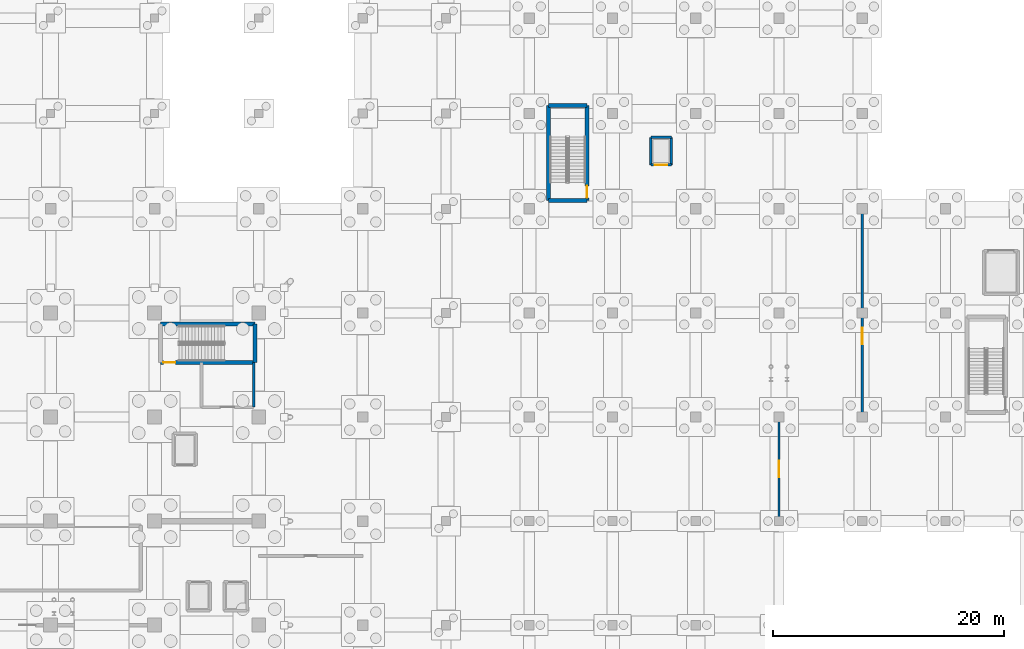
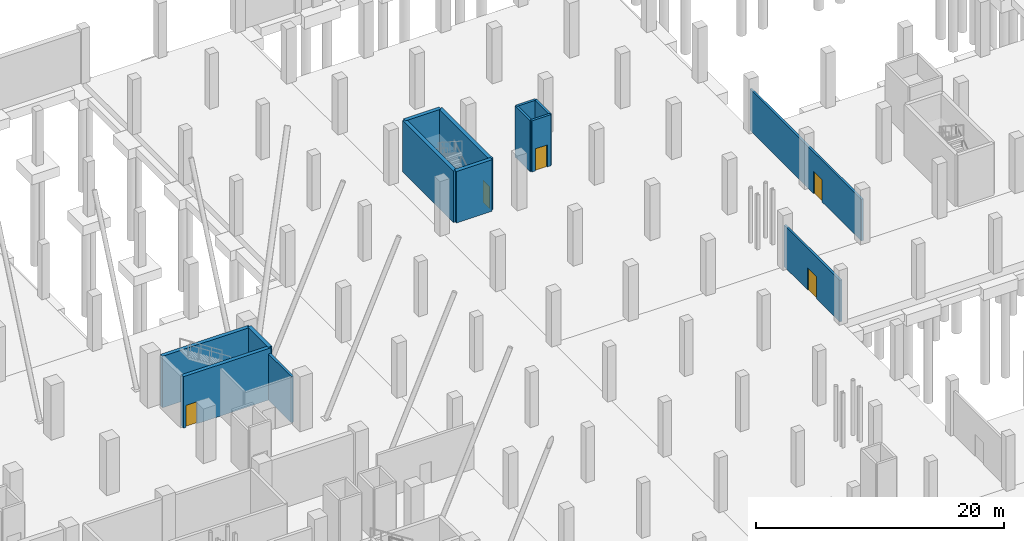
# One storey, part 29 of 42: 14 walls, 5 doors, 5 openings.
"""IFC4 building model written with IfcOpenShell, lengths in metres."""

import ifcopenshell
import ifcopenshell.guid

model = None  # the IFC model being written
_history = None  # IfcOwnerHistory: only IFC2X3 demands one
_inside = {}  # id of a spatial element -> (the spatial element, [elements in it])
_under = {}  # id of a project, library or spatial element -> (it, [spatial elements below it])
_declared = {}  # id of a project -> (the project, [libraries it declares])
_typed = {}  # id of a type object -> (the type object, [elements of that type])
_made_of = {}  # id of a material, layer set ... -> (it, [elements and type objects made of it])


def new_model(schema):
    """Start an empty IFC model of exactly this schema.

    Asked for "IFC4X3", IfcOpenShell would pick the latest addendum, in which some entities
    have other attributes; the version numbers below select the first issue.
    IFC2X3 requires an IfcOwnerHistory on every rooted entity: one is made here for all.
    """
    global model, _history
    if schema == "IFC4X3":
        model = ifcopenshell.file(schema_version=(4, 3, 0, 0))
    else:
        model = ifcopenshell.file(schema=schema)
    _inside.clear()
    _under.clear()
    _declared.clear()
    _typed.clear()
    _made_of.clear()
    _history = None
    if model.schema == "IFC2X3":
        org = make("IfcOrganization", Name="unknown")
        user = make(
            "IfcPersonAndOrganization",
            ThePerson=make("IfcPerson", FamilyName="unknown"),
            TheOrganization=org,
        )
        app = make(
            "IfcApplication",
            ApplicationDeveloper=org,
            Version="unknown",
            ApplicationFullName="unknown",
            ApplicationIdentifier="unknown",
        )
        _history = make(
            "IfcOwnerHistory",
            OwningUser=user,
            OwningApplication=app,
            ChangeAction="ADDED",
            CreationDate=0,
        )
    return model


def make(cls, **values):
    """One entity of the class cls with the attributes given. An attribute that is None is left unset."""
    return model.create_entity(
        cls, **{name: value for name, value in values.items() if value is not None}
    )


def rooted(cls, **values):
    """An entity with a GlobalId (a new one), such as an element, a storey or a relation."""
    return make(cls, GlobalId=ifcopenshell.guid.new(), OwnerHistory=_history, **values)


def si_unit(unit_type, name, prefix=None):
    """IfcSIUnit, for example si_unit("LENGTHUNIT", "METRE", prefix="MILLI")."""
    return make("IfcSIUnit", UnitType=unit_type, Prefix=prefix, Name=name)


def assignment(units):
    """IfcUnitAssignment: the units of a project."""
    return None if units is None else make("IfcUnitAssignment", Units=units)


def point(xyz):
    """IfcCartesianPoint."""
    return None if xyz is None else make("IfcCartesianPoint", Coordinates=xyz)


def direction(xyz):
    """IfcDirection."""
    return None if xyz is None else make("IfcDirection", DirectionRatios=xyz)


def frame(location, z_axis=None, x_axis=None):
    """IfcAxis2Placement3D, a coordinate frame: its origin and axes. An axis left out is left unset."""
    return make(
        "IfcAxis2Placement3D",
        Location=point(location),
        Axis=direction(z_axis),
        RefDirection=direction(x_axis),
    )


def frame_2d(location, x_axis=None):
    """IfcAxis2Placement2D, a coordinate frame in the plane: its origin and x axis."""
    return make(
        "IfcAxis2Placement2D", Location=point(location), RefDirection=direction(x_axis)
    )


def origin():
    """The frame at (0, 0, 0) with its axes left unset."""
    return frame((0.0, 0.0, 0.0))


def place(relative_to, where):
    """IfcLocalPlacement: puts the frame where relative to a parent placement (None: the world)."""
    return make(
        "IfcLocalPlacement", PlacementRelTo=relative_to, RelativePlacement=where
    )


def context(
    kind, dimensions, precision=None, world=None, true_north=None, identifier=None
):
    """IfcGeometricRepresentationContext, for example the 3D "Model" context."""
    return make(
        "IfcGeometricRepresentationContext",
        ContextIdentifier=identifier,
        ContextType=kind,
        CoordinateSpaceDimension=dimensions,
        Precision=precision,
        WorldCoordinateSystem=world,
        TrueNorth=true_north,
    )


def subcontext(parent, identifier, kind, view, scale=None):
    """IfcGeometricRepresentationSubContext, for example "Body" below "Model"."""
    return make(
        "IfcGeometricRepresentationSubContext",
        ContextIdentifier=identifier,
        ContextType=kind,
        ParentContext=parent,
        TargetScale=scale,
        TargetView=view,
    )


def project(units=None, contexts=None):
    """IfcProject with its units and contexts."""
    return rooted(
        "IfcProject",
        Name="project",
        RepresentationContexts=contexts,
        UnitsInContext=assignment(units),
    )


def spatial(cls, under=None, at=None, **own):
    """A site, building, storey or space (cls), placed at a placement, below another one or the project."""
    s = rooted(cls, ObjectPlacement=at, **own)
    if under is not None:
        _under.setdefault(under.id(), (under, []))[1].append(s)
    return s


def profile(cls, at=None, kind="AREA", **sizes):
    """A parametric profile (cls). Its sizes go by their IFC names, for example OverallWidth=200.0."""
    return make(cls, ProfileType=kind, Position=at, **sizes)


def rectangle(**sizes):
    """IfcRectangleProfileDef."""
    return profile("IfcRectangleProfileDef", **sizes)


def extrude(swept, where, along, depth):
    """IfcExtrudedAreaSolid: the profile swept, set in the frame where, extruded along a direction by depth."""
    return make(
        "IfcExtrudedAreaSolid",
        SweptArea=swept,
        Position=where,
        ExtrudedDirection=direction(along),
        Depth=depth,
    )


def shape(context_of_items, identifier, shape_type, items):
    """IfcShapeRepresentation: the items that make up one representation, for example the "Body"."""
    return make(
        "IfcShapeRepresentation",
        ContextOfItems=context_of_items,
        RepresentationIdentifier=identifier,
        RepresentationType=shape_type,
        Items=items,
    )


def material(Name=None, Category=None):
    """IfcMaterial."""
    return make("IfcMaterial", Name=Name, Category=Category)


def layer(
    of_material, thickness, ventilated=None, Name=None, Category=None, Priority=None
):
    """IfcMaterialLayer: one layer of a wall or slab, of a material (None: an air gap)."""
    return make(
        "IfcMaterialLayer",
        Material=of_material,
        LayerThickness=thickness,
        IsVentilated=ventilated,
        Name=Name,
        Category=Category,
        Priority=Priority,
    )


def layer_set(layers, Name=None):
    """IfcMaterialLayerSet."""
    return make("IfcMaterialLayerSet", MaterialLayers=layers, LayerSetName=Name)


def made_of(thing, what):
    """Note that an element or type object is made of a material, layer set ...; save() writes the relation."""
    if what is not None:
        _made_of.setdefault(what.id(), (what, []))[1].append(thing)
    return thing


def type_object(cls, material=None, **own):
    """A type object (cls), such as IfcWallType, which elements share."""
    return made_of(rooted(cls, **own), material)


def element(
    cls,
    number,
    at=None,
    inside=None,
    cuts=None,
    type_object=None,
    material=None,
    context=None,
    identifier="Body",
    shape_type=None,
    held_by="IfcProductDefinitionShape",
    body=None,
    shapes=None,
    **own,
):
    """One element of the class cls, such as IfcWall. Its Tag is "e" and its number.

    at: its placement. inside: the storey or other place that contains it. cuts: it is an
    opening in that element (IfcRelVoidsElement). A single representation is given by context,
    identifier, shape_type and body (its items); several are given by shapes. held_by: the class
    of the entity that holds the representations. save() writes the other relations.
    """
    e = rooted(cls, Tag="e%d" % number, ObjectPlacement=at, **own)
    if body is not None:
        shapes = [shape(context, identifier, shape_type, body)]
    if shapes is not None:
        e.Representation = make(held_by, Representations=shapes)
    if inside is not None:
        _inside.setdefault(inside.id(), (inside, []))[1].append(e)
    if cuts is not None:
        rooted(
            "IfcRelVoidsElement", RelatingBuildingElement=cuts, RelatedOpeningElement=e
        )
    if type_object is not None:
        _typed.setdefault(type_object.id(), (type_object, []))[1].append(e)
    return made_of(e, material)


def fill(opening, filler):
    """IfcRelFillsElement: the door or window that sits in an opening."""
    return rooted(
        "IfcRelFillsElement",
        RelatingOpeningElement=opening,
        RelatedBuildingElement=filler,
    )


def aggregate(whole, parts):
    """IfcRelAggregates: a whole, such as a stair, and the parts it consists of."""
    return rooted("IfcRelAggregates", RelatingObject=whole, RelatedObjects=parts)


def save(model, path):
    """Write the relations noted so far, then the file.

    IfcRelAggregates (storeys below a building ...), IfcRelContainedInSpatialStructure (elements
    in a storey), IfcRelDefinesByType, IfcRelAssociatesMaterial and IfcRelDeclares: one each for
    every whole, place, type object, material and project.
    """
    for whole, parts in _under.values():
        aggregate(whole, parts)
    for where, things in _inside.values():
        rooted(
            "IfcRelContainedInSpatialStructure",
            RelatedElements=things,
            RelatingStructure=where,
        )
    for kind, things in _typed.values():
        rooted("IfcRelDefinesByType", RelatedObjects=things, RelatingType=kind)
    for what, things in _made_of.values():
        rooted("IfcRelAssociatesMaterial", RelatedObjects=things, RelatingMaterial=what)
    for by, libraries in _declared.values():
        rooted("IfcRelDeclares", RelatingContext=by, RelatedDefinitions=libraries)
    model.write(path)


model = new_model("IFC4")

# Units and contexts
model_context = context("Model", 3, precision=1e-05, world=origin(), true_north=direction((0.0, 1.0)))
body_context = subcontext(model_context, "Body", "Model", "MODEL_VIEW")
ifc_project = project(units=[si_unit("LENGTHUNIT", "METRE"), si_unit("AREAUNIT", "SQUARE_METRE"), si_unit("VOLUMEUNIT", "CUBIC_METRE"), si_unit("PLANEANGLEUNIT", "RADIAN"), si_unit("MASSUNIT", "GRAM", prefix="KILO")], contexts=[model_context])

# Site, building, storey
site_placement = place(None, origin())
site = spatial("IfcSite", under=ifc_project, at=site_placement, CompositionType="ELEMENT")
building_placement = place(site_placement, origin())
building = spatial("IfcBuilding", under=site, at=building_placement, Name="Sundgate Opera House", CompositionType="ELEMENT")
storey_placement = place(building_placement, frame((0.0, 0.0, -5.39990234375)))
storey = spatial("IfcBuildingStorey", under=building, at=storey_placement, Name="B01", CompositionType="ELEMENT", Elevation=-5.39990234375)

# Wall, opening, door
ifc_material_1 = material(Name="Concrete C40/50", Category="concrete")
ifc_layer_1 = layer(ifc_material_1, 0.35009765625)
ifc_layer_set_1 = layer_set([ifc_layer_1], Name="Concrete C40/50")
wall_type_1 = type_object("IfcWallType", Name="WL-CORE-350", PredefinedType="SHEAR", material=ifc_layer_set_1)
wall_1_placement = place(storey_placement, frame((63.510009765625, 73.7099609375, 0.0), z_axis=(0.0, 0.0, 1.0), x_axis=(1.0, 0.0, 0.0)))
wall_1 = element("IfcWall", 1, at=wall_1_placement, inside=storey, type_object=wall_type_1, Name="B01 C4 South Shaft Wall", PredefinedType="SHEAR", context=body_context, shape_type="SweptSolid", body=[
    extrude(rectangle(XDim=8.179931640625, YDim=0.35009765625, at=frame_2d((4.08984375, 0.0))), origin(), (0.0, 0.0, 1.0), 5.079833984375),
])
opening_1_placement = place(wall_1_placement, frame((0.239990234375, 0.0, 0.0)))
opening_1 = element("IfcOpeningElement", 2, at=opening_1_placement, cuts=wall_1, Name="Opening DI01", PredefinedType="OPENING", context=body_context, shape_type="SweptSolid", body=[
    extrude(rectangle(XDim=1.050048828125, YDim=2.179931640625, at=frame_2d((0.52490234375, 1.08984375))), frame((0.0, 0.18505859375, 0.0), z_axis=(0.0, -1.0, 0.0), x_axis=(1.0, 0.0, 0.0)), (0.0, 0.0, 1.0), 0.3701171875),
])
ifc_material_2 = material(Name="Acoustic hardwood timber and steel core", Category="steel")
door_type_1 = type_object("IfcDoorType", Name="DR-STAIR-1050x2180", OperationType="NOTDEFINED", PredefinedType="DOOR", material=ifc_material_2)
door_1_placement = place(opening_1_placement, origin())
door_1 = element("IfcDoor", 3, at=door_1_placement, inside=storey, type_object=door_type_1, Name="B01 C4 Stair Door D0056", OperationType="SINGLE_SWING_RIGHT", OverallHeight=2.179931640625, OverallWidth=1.050048828125, PredefinedType="DOOR", context=body_context, shape_type="SweptSolid", body=[
    extrude(rectangle(XDim=1.050048828125, YDim=2.179931640625, at=frame_2d((0.52490234375, 1.08984375))), frame((0.0, 0.02490234375, 0.0), z_axis=(0.0, -1.0, 0.0), x_axis=(1.0, 0.0, 0.0)), (0.0, 0.0, 1.0), 0.050048828125),
])
fill(opening_1, door_1)

# Walls
wall_2_placement = place(storey_placement, frame((63.510009765625, 77.0400390625, 0.0), z_axis=(0.0, 0.0, 1.0), x_axis=(1.0, 0.0, 0.0)))
element("IfcWall", 4, at=wall_2_placement, inside=storey, type_object=wall_type_1, Name="B01 C4 North Shaft Wall", PredefinedType="SHEAR", context=body_context, shape_type="SweptSolid", body=[
    extrude(rectangle(XDim=8.179931640625, YDim=0.35009765625, at=frame_2d((4.08984375, 0.0))), origin(), (0.0, 0.0, 1.0), 5.079833984375),
])
wall_3_placement = place(storey_placement, frame((71.68994140625, 73.7099609375, 0.0), z_axis=(0.0, 0.0, 1.0), x_axis=(0.0, 1.0, 0.0)))
element("IfcWall", 5, at=wall_3_placement, inside=storey, type_object=wall_type_1, Name="B01 C4 East Shaft Wall", PredefinedType="SHEAR", context=body_context, shape_type="SweptSolid", body=[
    extrude(rectangle(XDim=3.330078125, YDim=0.35009765625, at=frame_2d((1.6650390625, 0.0))), origin(), (0.0, 0.0, 1.0), 5.079833984375),
])
for number, where, z_axis, x_axis, name in (
    (6, (97.06005859375, 87.7099609375, 0.0), (0.0, 0.0, 1.0), (1.0, 0.0, 0.0), "B01 C5 South Shaft Wall"),
    (7, (97.06005859375, 95.93994140625, 0.0), (0.0, 0.0, 1.0), (1.0, 0.0, 0.0), "B01 C5 North Shaft Wall"),
):
    element("IfcWall", number, at=place(storey_placement, frame(where, z_axis=z_axis, x_axis=x_axis)), inside=storey, type_object=wall_type_1, Name=name, PredefinedType="SHEAR", context=body_context, shape_type="SweptSolid", body=[
        extrude(rectangle(XDim=3.329833984375, YDim=0.35009765625, at=frame_2d((1.6650390625, 0.0))), origin(), (0.0, 0.0, 1.0), 5.079833984375),
    ])
wall_4_placement = place(storey_placement, frame((97.06005859375, 87.7099609375, 0.0), z_axis=(0.0, 0.0, 1.0), x_axis=(0.0, 1.0, 0.0)))
element("IfcWall", 8, at=wall_4_placement, inside=storey, type_object=wall_type_1, Name="B01 C5 West Shaft Wall", PredefinedType="SHEAR", context=body_context, shape_type="SweptSolid", body=[
    extrude(rectangle(XDim=8.22998046875, YDim=0.35009765625, at=frame_2d((4.114990234375, 0.0))), origin(), (0.0, 0.0, 1.0), 5.079833984375),
])

# Wall, opening, door
wall_5_placement = place(storey_placement, frame((100.389892578125, 87.7099609375, 0.0), z_axis=(0.0, 0.0, 1.0), x_axis=(0.0, 1.0, 0.0)))
wall_5 = element("IfcWall", 9, at=wall_5_placement, inside=storey, type_object=wall_type_1, Name="B01 C5 East Shaft Wall", PredefinedType="SHEAR", context=body_context, shape_type="SweptSolid", body=[
    extrude(rectangle(XDim=8.22998046875, YDim=0.35009765625, at=frame_2d((4.114990234375, 0.0))), origin(), (0.0, 0.0, 1.0), 5.079833984375),
])
opening_2_placement = place(wall_5_placement, frame((0.239990234375, 0.0, 0.0)))
opening_2 = element("IfcOpeningElement", 10, at=opening_2_placement, cuts=wall_5, Name="Opening DI01", PredefinedType="OPENING", context=body_context, shape_type="SweptSolid", body=[
    extrude(rectangle(XDim=1.050048828125, YDim=2.179931640625, at=frame_2d((0.52490234375, 1.08984375))), frame((0.0, 0.18505859375, 0.0), z_axis=(0.0, -1.0, 0.0), x_axis=(1.0, 0.0, 0.0)), (0.0, 0.0, 1.0), 0.3701171875),
])
door_2_placement = place(opening_2_placement, origin())
door_2 = element("IfcDoor", 11, at=door_2_placement, inside=storey, type_object=door_type_1, Name="B01 C5 Stair Door D0072", OperationType="SINGLE_SWING_RIGHT", OverallHeight=2.179931640625, OverallWidth=1.050048828125, PredefinedType="DOOR", context=body_context, shape_type="SweptSolid", body=[
    extrude(rectangle(XDim=1.050048828125, YDim=2.179931640625, at=frame_2d((0.52490234375, 1.08984375))), frame((0.0, 0.02490234375, 0.0), z_axis=(0.0, -1.0, 0.0), x_axis=(1.0, 0.0, 0.0)), (0.0, 0.0, 1.0), 0.050048828125),
])
fill(opening_2, door_2)

ifc_material_3 = material(Name="Fire-rated corridor partition", Category="gypsum")
ifc_layer_2 = layer(ifc_material_3, 0.199951171875)
ifc_layer_set_2 = layer_set([ifc_layer_2], Name="Fire-rated corridor partition")
wall_type_2 = type_object("IfcWallType", Name="WL-INT-FIRE-200", PredefinedType="PARTITIONING", material=ifc_layer_set_2)
wall_6_placement = place(storey_placement, frame((117.0, 60.0, 0.0), z_axis=(0.0, 0.0, 1.0), x_axis=(0.0, 1.0, 0.0)))
wall_6 = element("IfcWall", 12, at=wall_6_placement, inside=storey, type_object=wall_type_2, Name="B01 Interior Partition W0975", PredefinedType="PARTITIONING", context=body_context, shape_type="SweptSolid", body=[
    extrude(rectangle(XDim=9.0, YDim=0.199951171875, at=frame_2d((4.5, 0.0))), origin(), (0.0, 0.0, 1.0), 4.094970703125),
])
opening_3_placement = place(wall_6_placement, frame((3.800048828125, 0.0, 0.0)))
opening_3 = element("IfcOpeningElement", 13, at=opening_3_placement, cuts=wall_6, Name="Opening DI09", PredefinedType="OPENING", context=body_context, shape_type="SweptSolid", body=[
    extrude(rectangle(XDim=1.39990234375, YDim=2.179931640625, at=frame_2d((0.699951171875, 1.08984375))), frame((0.0, 0.10986328125, 0.0), z_axis=(0.0, -1.0, 0.0), x_axis=(1.0, 0.0, 0.0)), (0.0, 0.0, 1.0), 0.219970703125),
])
ifc_material_4 = material(Name="Acoustic hardwood timber and steel core", Category="steel")
door_type_2 = type_object("IfcDoorType", Name="DR-PLANT-1400x2180", OperationType="DOUBLE_DOOR_SINGLE_SWING", PredefinedType="DOOR", material=ifc_material_4)
door_3_placement = place(opening_3_placement, origin())
door_3 = element("IfcDoor", 14, at=door_3_placement, inside=storey, type_object=door_type_2, Name="B01 Interior Door D0163", OperationType="DOUBLE_DOOR_SINGLE_SWING", OverallHeight=2.179931640625, OverallWidth=1.39990234375, PredefinedType="DOOR", context=body_context, shape_type="SweptSolid", body=[
    extrude(rectangle(XDim=1.39990234375, YDim=2.179931640625, at=frame_2d((0.699951171875, 1.08984375))), frame((0.0, 0.02490234375, 0.0), z_axis=(0.0, -1.0, 0.0), x_axis=(1.0, 0.0, 0.0)), (0.0, 0.0, 1.0), 0.050048828125),
])
fill(opening_3, door_3)

wall_7_placement = place(storey_placement, frame((124.199951171875, 69.0, 0.0), z_axis=(0.0, 0.0, 1.0), x_axis=(0.0, 1.0, 0.0)))
wall_7 = element("IfcWall", 15, at=wall_7_placement, inside=storey, type_object=wall_type_2, Name="B01 Interior Partition W0979", PredefinedType="PARTITIONING", context=body_context, shape_type="SweptSolid", body=[
    extrude(rectangle(XDim=18.0, YDim=0.199951171875, at=frame_2d((9.0, 0.0))), origin(), (0.0, 0.0, 1.0), 4.094970703125),
])
opening_4_placement = place(wall_7_placement, frame((6.30810546875, 0.0, 0.0)))
opening_4 = element("IfcOpeningElement", 16, at=opening_4_placement, cuts=wall_7, Name="Opening DI09", PredefinedType="OPENING", context=body_context, shape_type="SweptSolid", body=[
    extrude(rectangle(XDim=1.39990234375, YDim=2.179931640625, at=frame_2d((0.699951171875, 1.08984375))), frame((0.0, 0.10986328125, 0.0), z_axis=(0.0, -1.0, 0.0), x_axis=(1.0, 0.0, 0.0)), (0.0, 0.0, 1.0), 0.219970703125),
])
door_4_placement = place(opening_4_placement, origin())
door_4 = element("IfcDoor", 17, at=door_4_placement, inside=storey, type_object=door_type_2, Name="B01 Interior Door D0167", OperationType="DOUBLE_DOOR_SINGLE_SWING", OverallHeight=2.179931640625, OverallWidth=1.39990234375, PredefinedType="DOOR", context=body_context, shape_type="SweptSolid", body=[
    extrude(rectangle(XDim=1.39990234375, YDim=2.179931640625, at=frame_2d((0.699951171875, 1.08984375))), frame((0.0, 0.02490234375, 0.0), z_axis=(0.0, -1.0, 0.0), x_axis=(1.0, 0.0, 0.0)), (0.0, 0.0, 1.0), 0.050048828125),
])
fill(opening_4, door_4)

# Wall
ifc_material_5 = material(Name="Fire-rated gypsum and mineral-wool shaft partition", Category="gypsum")
ifc_layer_3 = layer(ifc_material_5, 0.219970703125)
ifc_layer_set_3 = layer_set([ifc_layer_3], Name="Fire-rated gypsum and mineral-wool shaft partition")
wall_type_3 = type_object("IfcWallType", Name="WL-INT-FIRE-220", PredefinedType="PARTITIONING", material=ifc_layer_set_3)
wall_8_placement = place(storey_placement, frame((71.550048828125, 69.85009765625, 0.0), z_axis=(0.0, 0.0, 1.0), x_axis=(0.0, 1.0, 0.0)))
element("IfcWall", 18, at=wall_8_placement, inside=storey, type_object=wall_type_3, Name="B01 C4 Firefighting Lobby East Wall", PredefinedType="PARTITIONING", context=body_context, shape_type="SweptSolid", body=[
    extrude(rectangle(XDim=3.85986328125, YDim=0.219970703125, at=frame_2d((1.929931640625, 0.0))), origin(), (0.0, 0.0, 1.0), 4.554931640625),
])

# Wall, opening, door
wall_9_placement = place(storey_placement, frame((105.909912109375, 90.81005859375, 0.0), z_axis=(0.0, 0.0, 1.0), x_axis=(1.0, 0.0, 0.0)))
wall_9 = element("IfcWall", 19, at=wall_9_placement, inside=storey, type_object=wall_type_3, Name="B01 LF-04 South Shaft Wall", PredefinedType="PARTITIONING", context=body_context, shape_type="SweptSolid", body=[
    extrude(rectangle(XDim=1.780029296875, YDim=0.219970703125, at=frame_2d((0.89013671875, 0.0))), origin(), (0.0, 0.0, 1.0), 5.044921875),
])
opening_5_placement = place(wall_9_placement, frame((0.340087890625, 0.0, 0.0)))
opening_5 = element("IfcOpeningElement", 20, at=opening_5_placement, cuts=wall_9, Name="Opening LD1", PredefinedType="OPENING", context=body_context, shape_type="SweptSolid", body=[
    extrude(rectangle(XDim=1.10009765625, YDim=2.179931640625, at=frame_2d((0.550048828125, 1.08984375))), frame((0.0, 0.119873046875, 0.0), z_axis=(0.0, -1.0, 0.0), x_axis=(1.0, 0.0, 0.0)), (0.0, 0.0, 1.0), 0.239990234375),
])
ifc_material_6 = material(Name="Brushed stainless steel EN 1.4301", Category="steel")
door_type_3 = type_object("IfcDoorType", Name="DR-LIFT-1100x2180", OperationType="DOUBLE_DOOR_SLIDING", PredefinedType="DOOR", material=ifc_material_6)
door_5_placement = place(opening_5_placement, origin())
door_5 = element("IfcDoor", 21, at=door_5_placement, inside=storey, type_object=door_type_3, Name="B01 LF-04 Landing Door D0113", OperationType="DOUBLE_DOOR_SLIDING", OverallHeight=2.179931640625, OverallWidth=1.10009765625, PredefinedType="DOOR", context=body_context, shape_type="SweptSolid", body=[
    extrude(rectangle(XDim=1.10009765625, YDim=2.179931640625, at=frame_2d((0.550048828125, 1.08984375))), frame((0.0, 0.02490234375, 0.0), z_axis=(0.0, -1.0, 0.0), x_axis=(1.0, 0.0, 0.0)), (0.0, 0.0, 1.0), 0.050048828125),
])
fill(opening_5, door_5)

# Walls
wall_10_placement = place(storey_placement, frame((105.909912109375, 93.18994140625, 0.0), z_axis=(0.0, 0.0, 1.0), x_axis=(1.0, 0.0, 0.0)))
element("IfcWall", 22, at=wall_10_placement, inside=storey, type_object=wall_type_3, Name="B01 LF-04 North Shaft Wall", PredefinedType="PARTITIONING", context=body_context, shape_type="SweptSolid", body=[
    extrude(rectangle(XDim=1.780029296875, YDim=0.219970703125, at=frame_2d((0.89013671875, 0.0))), origin(), (0.0, 0.0, 1.0), 5.044921875),
])
for number, where, z_axis, x_axis, name in (
    (23, (105.909912109375, 90.81005859375, 0.0), (0.0, 0.0, 1.0), (0.0, 1.0, 0.0), "B01 LF-04 West Shaft Wall"),
    (24, (107.68994140625, 90.81005859375, 0.0), (0.0, 0.0, 1.0), (0.0, 1.0, 0.0), "B01 LF-04 East Shaft Wall"),
):
    element("IfcWall", number, at=place(storey_placement, frame(where, z_axis=z_axis, x_axis=x_axis)), inside=storey, type_object=wall_type_3, Name=name, PredefinedType="PARTITIONING", context=body_context, shape_type="SweptSolid", body=[
        extrude(rectangle(XDim=2.3798828125, YDim=0.219970703125, at=frame_2d((1.18994140625, 0.0))), origin(), (0.0, 0.0, 1.0), 5.044921875),
    ])

save(model, "model.ifc")
